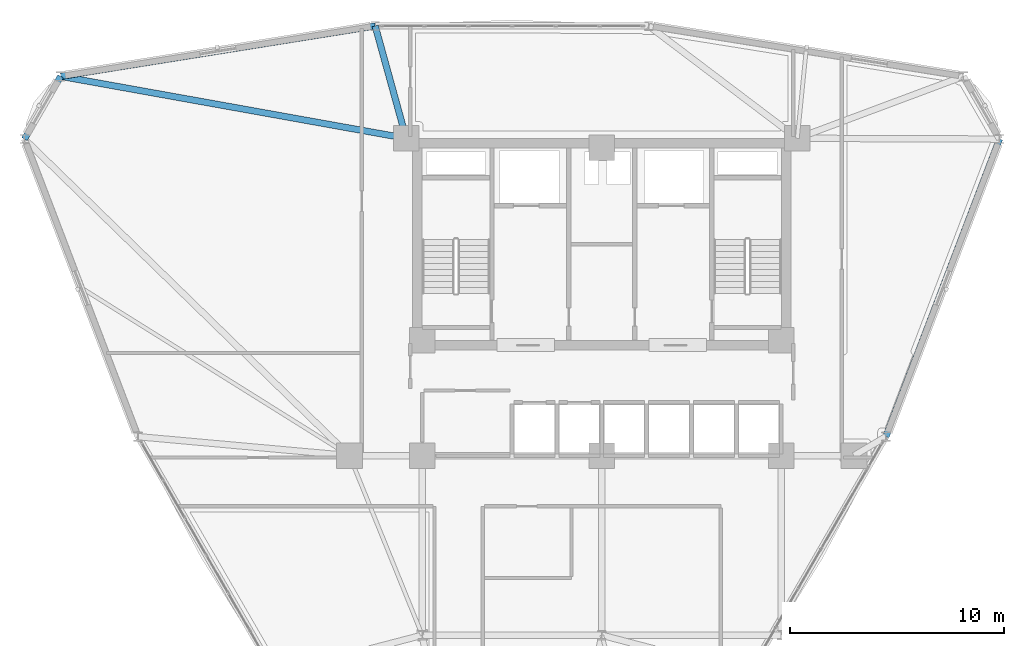
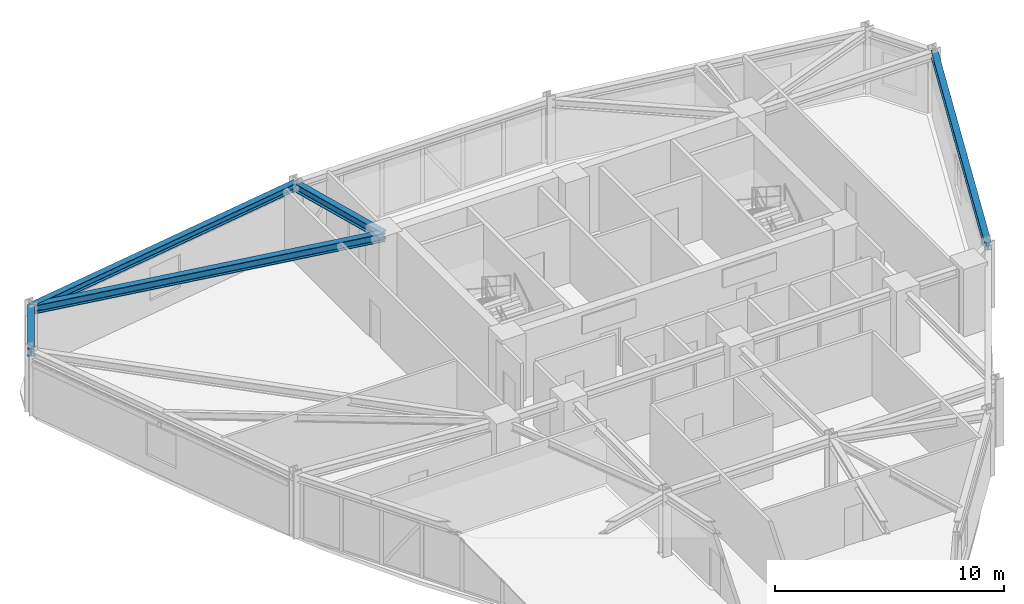
# One storey, part 7 of 15: 5 beams.
"""IFC4 building model written with IfcOpenShell, lengths in metres."""

from ifc_helpers import new_model, si_unit, derived_unit, direction, frame, origin, origin_2d, place, context, subcontext, project, spatial, i_section, extrude, source, transform, mapped, material, material_profile, profile_set, type_object, element, save


model = new_model("IFC4")

# Units and contexts
model_context = context("Model", 3, precision=1e-05, world=origin(), true_north=direction((0.0, 1.0)))
body_context = subcontext(model_context, "Body", "Model", "MODEL_VIEW")
ifc_project = project(units=[si_unit("LENGTHUNIT", "METRE"), si_unit("AREAUNIT", "SQUARE_METRE"), si_unit("VOLUMEUNIT", "CUBIC_METRE"), si_unit("PLANEANGLEUNIT", "RADIAN"), si_unit("MASSUNIT", "GRAM", prefix="KILO"), derived_unit("THERMALTRANSMITTANCEUNIT", [(si_unit("POWERUNIT", "WATT"), 1), (si_unit("LENGTHUNIT", "METRE"), -2), (si_unit("THERMODYNAMICTEMPERATUREUNIT", "KELVIN"), -1)])], contexts=[model_context])

# Site, building, storey
site_placement = place(None, origin())
site = spatial("IfcSite", under=ifc_project, at=site_placement, CompositionType="ELEMENT")
building_placement = place(site_placement, origin())
building = spatial("IfcBuilding", under=site, at=building_placement, Name="Korsvarv Bourse and Concert Hall", CompositionType="ELEMENT")
storey_placement = place(building_placement, frame((0.0, 0.0, 161.39990234375)))
storey = spatial("IfcBuildingStorey", under=building, at=storey_placement, Name="L41", CompositionType="ELEMENT", Elevation=161.39990234375)

# Beams
ifc_material = material(Name="Steel S355", Category="steel")
ifc_material_profile_1 = material_profile(ifc_material, i_section(OverallWidth=0.300048828125, OverallDepth=0.39990234375, WebThickness=0.013427734375, FlangeThickness=0.02392578125, FilletRadius=0.02099609375, at=origin_2d()), Name="HEB 400")
ifc_profile_set_1 = profile_set([ifc_material_profile_1], Name="Steel S355")
beam_type_1 = type_object("IfcBeamType", Name="BM-HEB400", PredefinedType="SPANDREL", material=ifc_profile_set_1)
shared_shape_1 = source(origin(), body_context, "Body", "SweptSolid", [
    extrude(i_section(OverallWidth=0.300048828125, OverallDepth=0.39990234375, WebThickness=0.013427734375, FlangeThickness=0.02392578125, FilletRadius=0.02099609375, at=origin_2d()), origin(), (0.0, 0.0, 1.0), 3.391357421875),
])
beam_1_placement = place(storey_placement, frame((10.681396484375, 50.15087890625, 3.2001953125), z_axis=(-0.500025713471, -0.866010557596, 0.0), x_axis=(0.866010557596, -0.500025713471, 0.0)))
element("IfcBeam", 1, at=beam_1_placement, inside=storey, type_object=beam_type_1, Name="L41 beam B-09", PredefinedType="SPANDREL", context=body_context, shape_type="MappedRepresentation", body=[
    mapped(shared_shape_1, transform((0.0, 0.0, 0.0), scale=1.0)),
])
shared_shape_2 = source(origin(), body_context, "Body", "SweptSolid", [
    extrude(i_section(OverallWidth=0.300048828125, OverallDepth=0.39990234375, WebThickness=0.013427734375, FlangeThickness=0.02392578125, FilletRadius=0.02099609375, at=origin_2d()), origin(), (0.0, 0.0, 1.0), 14.90478515625),
])
beam_2_placement = place(storey_placement, frame((49.296630859375, 33.2900390625, 3.2001953125), z_axis=(0.356775123781, 0.934190297023, 0.0), x_axis=(-0.934190297023, 0.356775123781, 0.0)))
element("IfcBeam", 2, at=beam_2_placement, inside=storey, type_object=beam_type_1, Name="L41 beam B-09", PredefinedType="SPANDREL", context=body_context, shape_type="MappedRepresentation", body=[
    mapped(shared_shape_2, transform((0.0, 0.0, 0.0), scale=1.0)),
])
shared_shape_3 = source(origin(), body_context, "Body", "SweptSolid", [
    extrude(i_section(OverallWidth=0.300048828125, OverallDepth=0.39990234375, WebThickness=0.013427734375, FlangeThickness=0.02392578125, FilletRadius=0.02099609375, at=origin_2d()), origin(), (0.0, 0.0, 1.0), 14.904541015625),
])
beam_3_placement = place(storey_placement, frame((25.3984375, 52.507568359375, 3.2001953125), z_axis=(-0.987420077934, -0.158118909977, 0.0), x_axis=(0.158118909977, -0.987420077934, 0.0)))
element("IfcBeam", 3, at=beam_3_placement, inside=storey, type_object=beam_type_1, Name="L41 beam B-09", PredefinedType="SPANDREL", context=body_context, shape_type="MappedRepresentation", body=[
    mapped(shared_shape_3, transform((0.0, 0.0, 0.0), scale=1.0)),
])
ifc_material_profile_2 = material_profile(ifc_material, i_section(OverallWidth=0.300048828125, OverallDepth=0.449951171875, WebThickness=0.013916015625, FlangeThickness=0.02587890625, FilletRadius=0.02099609375, at=origin_2d()), Name="HEB 450")
ifc_profile_set_2 = profile_set([ifc_material_profile_2], Name="Steel S355")
beam_type_2 = type_object("IfcBeamType", Name="BM-HEB450", PredefinedType="SPANDREL", material=ifc_profile_set_2)
shared_shape_4 = source(origin(), body_context, "Body", "SweptSolid", [
    extrude(i_section(OverallWidth=0.300048828125, OverallDepth=0.449951171875, WebThickness=0.013916015625, FlangeThickness=0.02587890625, FilletRadius=0.02099609375, at=origin_2d()), origin(), (0.0, 0.0, 1.0), 5.454345703125),
])
beam_4_placement = place(storey_placement, frame((25.3984375, 52.507568359375, 3.175048828125), z_axis=(0.266149878832, -0.963931658365, 0.0), x_axis=(0.963931658365, 0.266149878832, 0.0)))
element("IfcBeam", 4, at=beam_4_placement, inside=storey, type_object=beam_type_2, Name="L41 beam B-08", PredefinedType="SPANDREL", context=body_context, shape_type="MappedRepresentation", body=[
    mapped(shared_shape_4, transform((0.0, 0.0, 0.0), scale=1.0)),
])
shared_shape_5 = source(origin(), body_context, "Body", "SweptSolid", [
    extrude(i_section(OverallWidth=0.300048828125, OverallDepth=0.449951171875, WebThickness=0.013916015625, FlangeThickness=0.02587890625, FilletRadius=0.02099609375, at=origin_2d()), origin(), (0.0, 0.0, 1.0), 16.4267578125),
])
beam_5_placement = place(storey_placement, frame((10.681396484375, 50.15087890625, 3.175048828125), z_axis=(0.984283861067, -0.176593547001, 0.0), x_axis=(0.176593547001, 0.984283861067, 0.0)))
element("IfcBeam", 5, at=beam_5_placement, inside=storey, type_object=beam_type_2, Name="L41 beam B-08", PredefinedType="SPANDREL", context=body_context, shape_type="MappedRepresentation", body=[
    mapped(shared_shape_5, transform((0.0, 0.0, 0.0), scale=1.0)),
])

save(model, "model.ifc")
